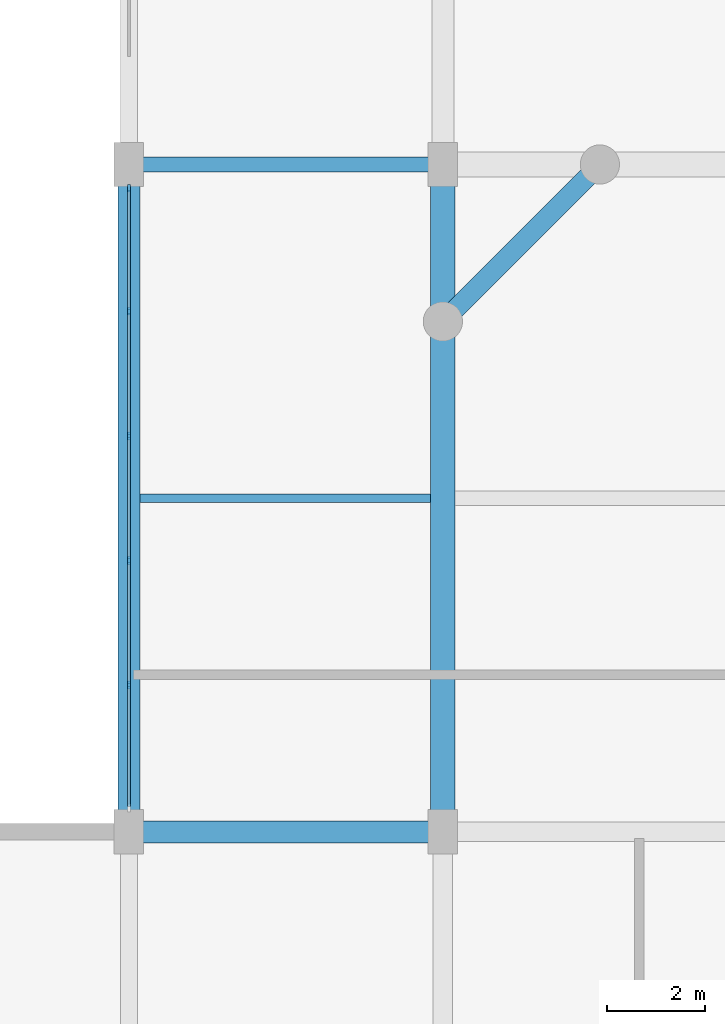
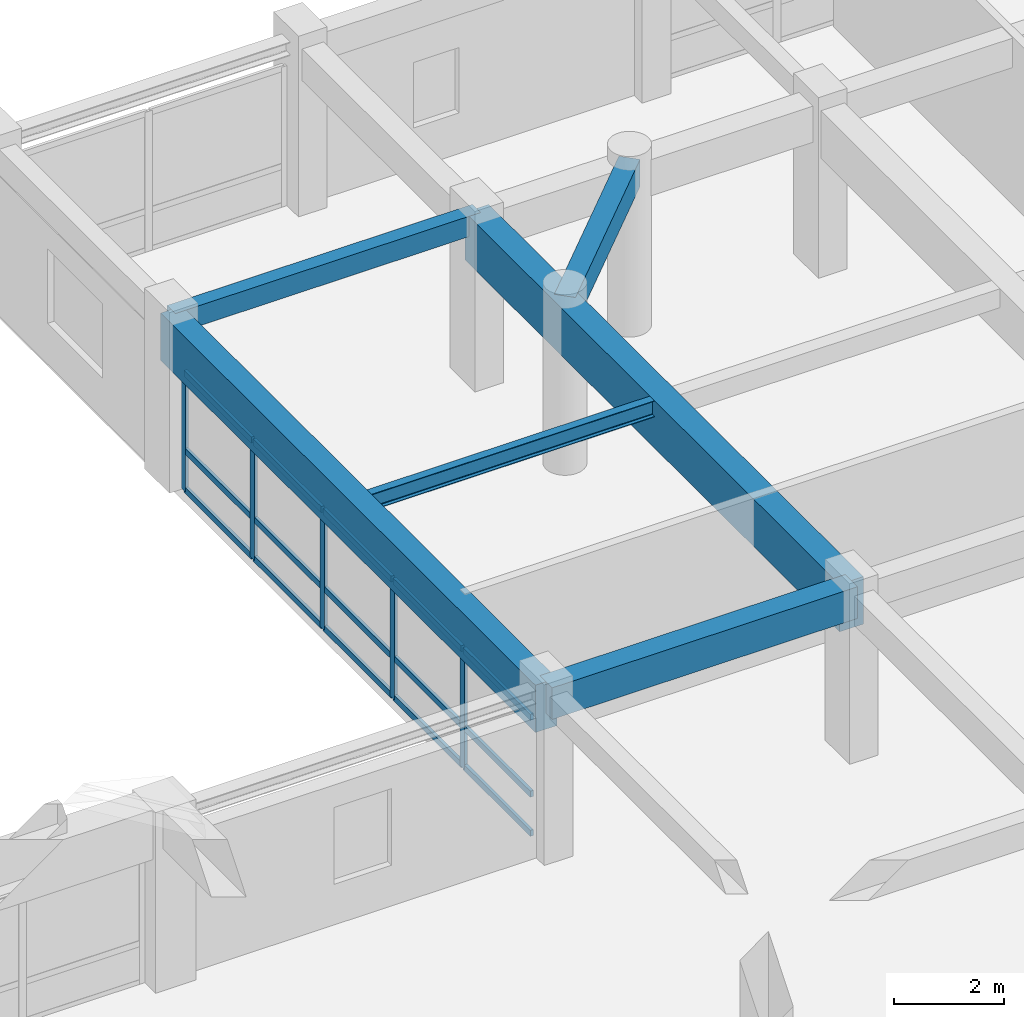
# One storey, part 8 of 27: 20 members, 6 beams, 1 element without a shape of its own.
"""IFC4 building model written with IfcOpenShell, lengths in metres."""

from ifc_helpers import new_model, si_unit, direction, frame, origin, origin_2d, place, context, subcontext, project, spatial, rectangle, i_section, extrude, material, material_profile, profile_set, type_object, element, aggregate, save


model = new_model("IFC4")

# Units and contexts
model_context = context("Model", 3, precision=1e-05, world=origin(), true_north=direction((0.0, 1.0)))
body_context = subcontext(model_context, "Body", "Model", "MODEL_VIEW")
ifc_project = project(units=[si_unit("LENGTHUNIT", "METRE"), si_unit("AREAUNIT", "SQUARE_METRE"), si_unit("VOLUMEUNIT", "CUBIC_METRE"), si_unit("PLANEANGLEUNIT", "RADIAN"), si_unit("MASSUNIT", "GRAM", prefix="KILO")], contexts=[model_context])

# Site, building, storey
site_placement = place(None, origin())
site = spatial("IfcSite", under=ifc_project, at=site_placement, CompositionType="ELEMENT")
building_placement = place(site_placement, origin())
building = spatial("IfcBuilding", under=site, at=building_placement, Name="Vellmiral Cinema and Media Centre", CompositionType="ELEMENT")
storey_placement = place(building_placement, frame((0.0, 0.0, 19.800048828125)))
storey = spatial("IfcBuildingStorey", under=building, at=storey_placement, Name="L04", CompositionType="ELEMENT", Elevation=19.800048828125)

# Beams
ifc_material_1 = material(Name="Concrete C40/50", Category="concrete")
ifc_material_profile_1 = material_profile(ifc_material_1, rectangle(XDim=0.300048828125, YDim=0.449951171875, at=origin_2d()), Name="RC 300x450")
ifc_profile_set_1 = profile_set([ifc_material_profile_1], Name="Concrete C40/50")
beam_type_1 = type_object("IfcBeamType", Name="BM-RC-300x450", PredefinedType="BEAM", material=ifc_profile_set_1)
beam_1_placement = place(storey_placement, frame((110.39990234375, 108.800048828125, 3.469970703125), z_axis=(1.0, 0.0, 0.0), x_axis=(0.0, 1.0, 0.0)))
element("IfcBeam", 1, at=beam_1_placement, inside=storey, type_object=beam_type_1, Name="Grid Beam L04-X048", PredefinedType="BEAM", context=body_context, shape_type="SweptSolid", body=[
    extrude(rectangle(XDim=0.300048828125, YDim=0.449951171875, at=origin_2d()), origin(), (0.0, 0.0, 1.0), 6.400146484375),
])
ifc_material_2 = material(Name="Concrete C40/50", Category="concrete")
ifc_material_profile_2 = material_profile(ifc_material_2, rectangle(XDim=0.449951171875, YDim=0.699951171875, at=origin_2d()), Name="RC 450x700")
ifc_profile_set_2 = profile_set([ifc_material_profile_2], Name="Concrete C40/50")
beam_type_2 = type_object("IfcBeamType", Name="BM-RC-450x700", PredefinedType="BEAM", material=ifc_profile_set_2)
beam_2_placement = place(storey_placement, frame((110.39990234375, 95.199951171875, 3.344970703125), z_axis=(1.0, 0.0, 0.0), x_axis=(0.0, 1.0, 0.0)))
element("IfcBeam", 2, at=beam_2_placement, inside=storey, type_object=beam_type_2, Name="Grid Beam L04-X041", PredefinedType="BEAM", context=body_context, shape_type="SweptSolid", body=[
    extrude(rectangle(XDim=0.449951171875, YDim=0.699951171875, at=origin_2d()), origin(), (0.0, 0.0, 1.0), 6.400146484375),
])
ifc_material_3 = material(Name="Concrete C40/50", Category="concrete")
ifc_material_profile_3 = material_profile(ifc_material_3, rectangle(XDim=0.5, YDim=1.050048828125, at=origin_2d()), Name="RC 500x1050")
ifc_profile_set_3 = profile_set([ifc_material_profile_3], Name="Concrete C40/50")
beam_type_3 = type_object("IfcBeamType", Name="BM-RCG-500x1050", PredefinedType="BEAM", material=ifc_profile_set_3)
beam_3_placement = place(storey_placement, frame((116.800048828125, 95.199951171875, 3.169921875), z_axis=(0.0, 1.0, 0.0), x_axis=(-1.0, 0.0, 0.0)))
element("IfcBeam", 3, at=beam_3_placement, inside=storey, type_object=beam_type_3, Name="Grid Beam L04-Y073", PredefinedType="BEAM", context=body_context, shape_type="SweptSolid", body=[
    extrude(rectangle(XDim=0.5, YDim=1.050048828125, at=origin_2d()), origin(), (0.0, 0.0, 1.0), 13.60009765625),
])

# Curtain wall, members
ifc_material_4 = material(Name="Thermally Broken Aluminium and Triple Glazing", Category="aluminium")
curtain_wall_type = type_object("IfcCurtainWallType", Name="CW-TOWER-LOW-N", PredefinedType="USERDEFINED", material=ifc_material_4)
curtain_wall_placement = place(storey_placement, origin())
curtain_wall = element("IfcCurtainWall", 4, at=curtain_wall_placement, inside=storey, type_object=curtain_wall_type, Name="Curtain Wall L04-B029", ObjectType="UNITISED CURTAIN WALL", PredefinedType="USERDEFINED")
ifc_material_5 = material(Name="Thermally Broken Anodised Aluminium", Category="aluminium")
ifc_material_profile_4 = material_profile(ifc_material_5, rectangle(XDim=0.06494140625, YDim=0.159912109375, at=origin_2d()), Name="MULL 65x160")
ifc_profile_set_4 = profile_set([ifc_material_profile_4], Name="Thermally Broken Anodised Aluminium")
member_type_1 = type_object("IfcMemberType", Name="CWM-65x160", PredefinedType="MULLION", material=ifc_profile_set_4)
member_1_placement = place(storey_placement, frame((110.39990234375, 108.3173828125, 0.0), z_axis=(0.0, 0.0, 1.0), x_axis=(1.0, 0.0, 0.0)))
member_1 = element("IfcMember", 5, at=member_1_placement, type_object=member_type_1, Name="CW-05 mullion 1", PredefinedType="MULLION", context=body_context, shape_type="SweptSolid", body=[
    extrude(rectangle(XDim=0.06494140625, YDim=0.159912109375, at=origin_2d()), origin(), (0.0, 0.0, 1.0), 2.635009765625),
])
member_2_placement = place(storey_placement, frame((110.39990234375, 105.81005859375, 0.0), z_axis=(0.0, 0.0, 1.0), x_axis=(1.0, 0.0, 0.0)))
member_2 = element("IfcMember", 6, at=member_2_placement, type_object=member_type_1, Name="CW-05 mullion 2", PredefinedType="MULLION", context=body_context, shape_type="SweptSolid", body=[
    extrude(rectangle(XDim=0.06494140625, YDim=0.159912109375, at=origin_2d()), origin(), (0.0, 0.0, 1.0), 2.635009765625),
])
member_3_placement = place(storey_placement, frame((110.39990234375, 103.27001953125, 0.0), z_axis=(0.0, 0.0, 1.0), x_axis=(1.0, 0.0, 0.0)))
member_3 = element("IfcMember", 7, at=member_3_placement, type_object=member_type_1, Name="CW-05 mullion 3", PredefinedType="MULLION", context=body_context, shape_type="SweptSolid", body=[
    extrude(rectangle(XDim=0.06494140625, YDim=0.159912109375, at=origin_2d()), origin(), (0.0, 0.0, 1.0), 2.635009765625),
])
member_4_placement = place(storey_placement, frame((110.39990234375, 100.72998046875, 0.0), z_axis=(0.0, 0.0, 1.0), x_axis=(1.0, 0.0, 0.0)))
member_4 = element("IfcMember", 8, at=member_4_placement, type_object=member_type_1, Name="CW-05 mullion 4", PredefinedType="MULLION", context=body_context, shape_type="SweptSolid", body=[
    extrude(rectangle(XDim=0.06494140625, YDim=0.159912109375, at=origin_2d()), origin(), (0.0, 0.0, 1.0), 2.635009765625),
])
member_5_placement = place(storey_placement, frame((110.39990234375, 98.18994140625, 0.0), z_axis=(0.0, 0.0, 1.0), x_axis=(1.0, 0.0, 0.0)))
member_5 = element("IfcMember", 9, at=member_5_placement, type_object=member_type_1, Name="CW-05 mullion 5", PredefinedType="MULLION", context=body_context, shape_type="SweptSolid", body=[
    extrude(rectangle(XDim=0.06494140625, YDim=0.159912109375, at=origin_2d()), origin(), (0.0, 0.0, 1.0), 2.635009765625),
])
ifc_material_6 = material(Name="Thermally Broken Anodised Aluminium", Category="aluminium")
ifc_material_profile_5 = material_profile(ifc_material_6, rectangle(XDim=0.06494140625, YDim=0.135009765625, at=origin_2d()), Name="MULL 65x135")
ifc_profile_set_5 = profile_set([ifc_material_profile_5], Name="Thermally Broken Anodised Aluminium")
member_type_2 = type_object("IfcMemberType", Name="CWT-65x135", PredefinedType="USERDEFINED", material=ifc_profile_set_5)
member_6_placement = place(storey_placement, frame((110.39990234375, 108.284912109375, 0.032470703125), z_axis=(0.0, -1.0, 0.0), x_axis=(1.0, 0.0, 0.0)))
member_6 = element("IfcMember", 10, at=member_6_placement, type_object=member_type_2, Name="CW-05 transom 1.1", ObjectType="TRANSOM", PredefinedType="USERDEFINED", context=body_context, shape_type="SweptSolid", body=[
    extrude(rectangle(XDim=0.06494140625, YDim=0.135009765625, at=origin_2d()), origin(), (0.0, 0.0, 1.0), 2.4423828125),
])
member_7_placement = place(storey_placement, frame((110.39990234375, 108.284912109375, 0.89990234375), z_axis=(0.0, -1.0, 0.0), x_axis=(1.0, 0.0, 0.0)))
member_7 = element("IfcMember", 11, at=member_7_placement, type_object=member_type_2, Name="CW-05 transom 1.2", ObjectType="TRANSOM", PredefinedType="USERDEFINED", context=body_context, shape_type="SweptSolid", body=[
    extrude(rectangle(XDim=0.06494140625, YDim=0.135009765625, at=origin_2d()), origin(), (0.0, 0.0, 1.0), 2.4423828125),
])
member_8_placement = place(storey_placement, frame((110.39990234375, 108.284912109375, 2.6025390625), z_axis=(0.0, -1.0, 0.0), x_axis=(1.0, 0.0, 0.0)))
member_8 = element("IfcMember", 12, at=member_8_placement, type_object=member_type_2, Name="CW-05 transom 1.3", ObjectType="TRANSOM", PredefinedType="USERDEFINED", context=body_context, shape_type="SweptSolid", body=[
    extrude(rectangle(XDim=0.06494140625, YDim=0.135009765625, at=origin_2d()), origin(), (0.0, 0.0, 1.0), 2.4423828125),
])
member_9_placement = place(storey_placement, frame((110.39990234375, 105.777587890625, 0.032470703125), z_axis=(0.0, -1.0, 0.0), x_axis=(1.0, 0.0, 0.0)))
member_9 = element("IfcMember", 13, at=member_9_placement, type_object=member_type_2, Name="CW-05 transom 2.1", ObjectType="TRANSOM", PredefinedType="USERDEFINED", context=body_context, shape_type="SweptSolid", body=[
    extrude(rectangle(XDim=0.06494140625, YDim=0.135009765625, at=origin_2d()), origin(), (0.0, 0.0, 1.0), 2.47509765625),
])
member_10_placement = place(storey_placement, frame((110.39990234375, 105.777587890625, 0.89990234375), z_axis=(0.0, -1.0, 0.0), x_axis=(1.0, 0.0, 0.0)))
member_10 = element("IfcMember", 14, at=member_10_placement, type_object=member_type_2, Name="CW-05 transom 2.2", ObjectType="TRANSOM", PredefinedType="USERDEFINED", context=body_context, shape_type="SweptSolid", body=[
    extrude(rectangle(XDim=0.06494140625, YDim=0.135009765625, at=origin_2d()), origin(), (0.0, 0.0, 1.0), 2.47509765625),
])
member_11_placement = place(storey_placement, frame((110.39990234375, 105.777587890625, 2.6025390625), z_axis=(0.0, -1.0, 0.0), x_axis=(1.0, 0.0, 0.0)))
member_11 = element("IfcMember", 15, at=member_11_placement, type_object=member_type_2, Name="CW-05 transom 2.3", ObjectType="TRANSOM", PredefinedType="USERDEFINED", context=body_context, shape_type="SweptSolid", body=[
    extrude(rectangle(XDim=0.06494140625, YDim=0.135009765625, at=origin_2d()), origin(), (0.0, 0.0, 1.0), 2.47509765625),
])
member_12_placement = place(storey_placement, frame((110.39990234375, 103.237548828125, 0.032470703125), z_axis=(0.0, -1.0, 0.0), x_axis=(1.0, 0.0, 0.0)))
member_12 = element("IfcMember", 16, at=member_12_placement, type_object=member_type_2, Name="CW-05 transom 3.1", ObjectType="TRANSOM", PredefinedType="USERDEFINED", context=body_context, shape_type="SweptSolid", body=[
    extrude(rectangle(XDim=0.06494140625, YDim=0.135009765625, at=origin_2d()), origin(), (0.0, 0.0, 1.0), 2.47509765625),
])
member_13_placement = place(storey_placement, frame((110.39990234375, 103.237548828125, 0.89990234375), z_axis=(0.0, -1.0, 0.0), x_axis=(1.0, 0.0, 0.0)))
member_13 = element("IfcMember", 17, at=member_13_placement, type_object=member_type_2, Name="CW-05 transom 3.2", ObjectType="TRANSOM", PredefinedType="USERDEFINED", context=body_context, shape_type="SweptSolid", body=[
    extrude(rectangle(XDim=0.06494140625, YDim=0.135009765625, at=origin_2d()), origin(), (0.0, 0.0, 1.0), 2.47509765625),
])
member_14_placement = place(storey_placement, frame((110.39990234375, 103.237548828125, 2.6025390625), z_axis=(0.0, -1.0, 0.0), x_axis=(1.0, 0.0, 0.0)))
member_14 = element("IfcMember", 18, at=member_14_placement, type_object=member_type_2, Name="CW-05 transom 3.3", ObjectType="TRANSOM", PredefinedType="USERDEFINED", context=body_context, shape_type="SweptSolid", body=[
    extrude(rectangle(XDim=0.06494140625, YDim=0.135009765625, at=origin_2d()), origin(), (0.0, 0.0, 1.0), 2.47509765625),
])
member_15_placement = place(storey_placement, frame((110.39990234375, 100.697509765625, 0.032470703125), z_axis=(0.0, -1.0, 0.0), x_axis=(1.0, 0.0, 0.0)))
member_15 = element("IfcMember", 19, at=member_15_placement, type_object=member_type_2, Name="CW-05 transom 4.1", ObjectType="TRANSOM", PredefinedType="USERDEFINED", context=body_context, shape_type="SweptSolid", body=[
    extrude(rectangle(XDim=0.06494140625, YDim=0.135009765625, at=origin_2d()), origin(), (0.0, 0.0, 1.0), 2.47509765625),
])
member_16_placement = place(storey_placement, frame((110.39990234375, 100.697509765625, 0.89990234375), z_axis=(0.0, -1.0, 0.0), x_axis=(1.0, 0.0, 0.0)))
member_16 = element("IfcMember", 20, at=member_16_placement, type_object=member_type_2, Name="CW-05 transom 4.2", ObjectType="TRANSOM", PredefinedType="USERDEFINED", context=body_context, shape_type="SweptSolid", body=[
    extrude(rectangle(XDim=0.06494140625, YDim=0.135009765625, at=origin_2d()), origin(), (0.0, 0.0, 1.0), 2.47509765625),
])
member_17_placement = place(storey_placement, frame((110.39990234375, 100.697509765625, 2.6025390625), z_axis=(0.0, -1.0, 0.0), x_axis=(1.0, 0.0, 0.0)))
member_17 = element("IfcMember", 21, at=member_17_placement, type_object=member_type_2, Name="CW-05 transom 4.3", ObjectType="TRANSOM", PredefinedType="USERDEFINED", context=body_context, shape_type="SweptSolid", body=[
    extrude(rectangle(XDim=0.06494140625, YDim=0.135009765625, at=origin_2d()), origin(), (0.0, 0.0, 1.0), 2.47509765625),
])
member_18_placement = place(storey_placement, frame((110.39990234375, 98.157470703125, 0.032470703125), z_axis=(0.0, -1.0, 0.0), x_axis=(1.0, 0.0, 0.0)))
member_18 = element("IfcMember", 22, at=member_18_placement, type_object=member_type_2, Name="CW-05 transom 5.1", ObjectType="TRANSOM", PredefinedType="USERDEFINED", context=body_context, shape_type="SweptSolid", body=[
    extrude(rectangle(XDim=0.06494140625, YDim=0.135009765625, at=origin_2d()), origin(), (0.0, 0.0, 1.0), 2.4423828125),
])
member_19_placement = place(storey_placement, frame((110.39990234375, 98.157470703125, 0.89990234375), z_axis=(0.0, -1.0, 0.0), x_axis=(1.0, 0.0, 0.0)))
member_19 = element("IfcMember", 23, at=member_19_placement, type_object=member_type_2, Name="CW-05 transom 5.2", ObjectType="TRANSOM", PredefinedType="USERDEFINED", context=body_context, shape_type="SweptSolid", body=[
    extrude(rectangle(XDim=0.06494140625, YDim=0.135009765625, at=origin_2d()), origin(), (0.0, 0.0, 1.0), 2.4423828125),
])
member_20_placement = place(storey_placement, frame((110.39990234375, 98.157470703125, 2.6025390625), z_axis=(0.0, -1.0, 0.0), x_axis=(1.0, 0.0, 0.0)))
member_20 = element("IfcMember", 24, at=member_20_placement, type_object=member_type_2, Name="CW-05 transom 5.3", ObjectType="TRANSOM", PredefinedType="USERDEFINED", context=body_context, shape_type="SweptSolid", body=[
    extrude(rectangle(XDim=0.06494140625, YDim=0.135009765625, at=origin_2d()), origin(), (0.0, 0.0, 1.0), 2.4423828125),
])
aggregate(curtain_wall, [member_1, member_2, member_3, member_4, member_5, member_6, member_7, member_8, member_9, member_10, member_11, member_12, member_13, member_14, member_15, member_16, member_17, member_18, member_19, member_20])

# Beams
ifc_material_7 = material(Name="Steel S355", Category="steel")
ifc_material_profile_6 = material_profile(ifc_material_7, i_section(OverallWidth=0.169921875, OverallDepth=0.360107421875, WebThickness=0.008056640625, FlangeThickness=0.0126953125, FilletRadius=0.01806640625, at=origin_2d()), Name="IPE 360")
ifc_profile_set_6 = profile_set([ifc_material_profile_6], Name="Steel S355")
beam_type_4 = type_object("IfcBeamType", Name="SBM-IPE360", PredefinedType="JOIST", material=ifc_profile_set_6)
beam_4_placement = place(storey_placement, frame((110.625, 102.0, 3.514892578125), z_axis=(1.0, 0.0, 0.0), x_axis=(0.0, 1.0, 0.0)))
element("IfcBeam", 25, at=beam_4_placement, inside=storey, type_object=beam_type_4, Name="Secondary Floor Joist L04-001", PredefinedType="JOIST", context=body_context, shape_type="SweptSolid", body=[
    extrude(i_section(OverallWidth=0.169921875, OverallDepth=0.360107421875, WebThickness=0.008056640625, FlangeThickness=0.0126953125, FilletRadius=0.01806640625, at=origin_2d()), origin(), (0.0, 0.0, 1.0), 5.925048828125),
])
ifc_material_8 = material(Name="Concrete C40/50", Category="concrete")
ifc_material_profile_7 = material_profile(ifc_material_8, rectangle(XDim=0.39990234375, YDim=0.60009765625, at=origin_2d()), Name="RC 400x600")
ifc_profile_set_7 = profile_set([ifc_material_profile_7], Name="Concrete C40/50")
beam_type_5 = type_object("IfcBeamType", Name="SPD-RC-400x600", PredefinedType="SPANDREL", material=ifc_profile_set_7)
beam_5_placement = place(storey_placement, frame((116.800048828125, 105.60009765625, 3.39501953125), z_axis=(0.707106781187, 0.707106781187, 0.0), x_axis=(-0.707106781187, 0.707106781187, 0.0)))
element("IfcBeam", 26, at=beam_5_placement, inside=storey, type_object=beam_type_5, Name="Xamfra Chamfer Spandrel Beam L04-116", PredefinedType="SPANDREL", context=body_context, shape_type="SweptSolid", body=[
    extrude(rectangle(XDim=0.39990234375, YDim=0.60009765625, at=origin_2d()), origin(), (0.0, 0.0, 1.0), 4.525390625),
])
ifc_material_9 = material(Name="Concrete C40/50", Category="concrete")
ifc_material_profile_8 = material_profile(ifc_material_9, rectangle(XDim=0.449951171875, YDim=1.050048828125, at=origin_2d()), Name="RC 450x1050")
ifc_profile_set_8 = profile_set([ifc_material_profile_8], Name="Concrete C40/50")
beam_type_6 = type_object("IfcBeamType", Name="SPD-RCG-450x1050", PredefinedType="SPANDREL", material=ifc_profile_set_8)
beam_6_placement = place(storey_placement, frame((110.39990234375, 95.199951171875, 3.169921875), z_axis=(0.0, 1.0, 0.0), x_axis=(-1.0, 0.0, 0.0)))
element("IfcBeam", 27, at=beam_6_placement, inside=storey, type_object=beam_type_6, Name="Grid Beam L04-Y066", PredefinedType="SPANDREL", context=body_context, shape_type="SweptSolid", body=[
    extrude(rectangle(XDim=0.449951171875, YDim=1.050048828125, at=origin_2d()), origin(), (0.0, 0.0, 1.0), 13.60009765625),
])

save(model, "model.ifc")
